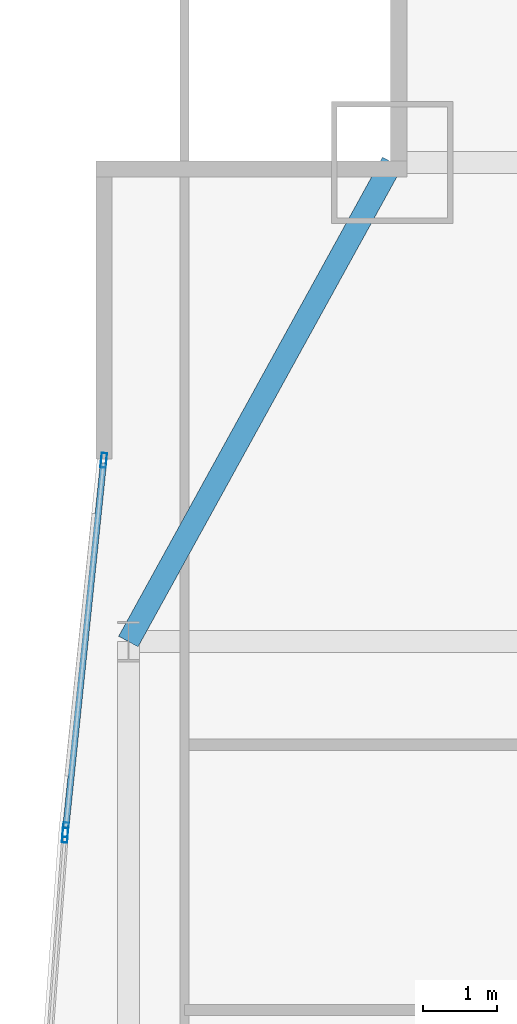
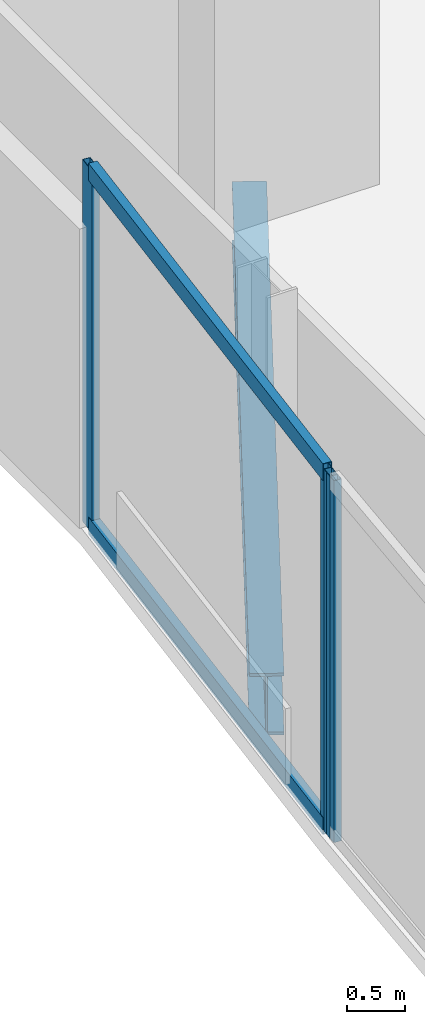
# One storey, part 16 of 33: 5 members, 1 beam, 2 elements without a shape of their own.
"""IFC4 building model written with IfcOpenShell, lengths in metres."""

from ifc_helpers import new_model, si_unit, direction, frame, origin, origin_2d, place, context, subcontext, project, spatial, hollow_rectangle, i_section, extrude, material, material_profile, profile_set, type_object, element, aggregate, save


model = new_model("IFC4")

# Units and contexts
model_context = context("Model", 3, precision=1e-05, world=origin(), true_north=direction((0.0, 1.0)))
body_context = subcontext(model_context, "Body", "Model", "MODEL_VIEW")
ifc_project = project(units=[si_unit("LENGTHUNIT", "METRE"), si_unit("AREAUNIT", "SQUARE_METRE"), si_unit("VOLUMEUNIT", "CUBIC_METRE"), si_unit("PLANEANGLEUNIT", "RADIAN"), si_unit("MASSUNIT", "GRAM", prefix="KILO")], contexts=[model_context])

# Site, building, storey
site_placement = place(None, origin())
site = spatial("IfcSite", under=ifc_project, at=site_placement, CompositionType="ELEMENT")
building_placement = place(site_placement, origin())
building = spatial("IfcBuilding", under=site, at=building_placement, Name="Khoronbel Lancet Exchange", CompositionType="ELEMENT")
storey_placement = place(building_placement, frame((0.0, 0.0, 33.800048828125)))
storey = spatial("IfcBuildingStorey", under=building, at=storey_placement, Name="L07", CompositionType="ELEMENT", Elevation=33.800048828125)

# Beam
ifc_material_1 = material(Name="Steel S355", Category="steel")
ifc_material_profile_1 = material_profile(ifc_material_1, i_section(OverallWidth=0.300048828125, OverallDepth=0.64990234375, WebThickness=0.01611328125, FlangeThickness=0.031005859375, at=origin_2d()), Name="HEB 650")
ifc_profile_set_1 = profile_set([ifc_material_profile_1], Name="Steel S355")
beam_type = type_object("IfcBeamType", Name="BM-BSP1", PredefinedType="SPANDREL", material=ifc_profile_set_1)
beam_placement = place(storey_placement, frame((4.85009765625, 49.699951171875, -0.505126953125), z_axis=(-0.482444051088, -0.875926787791, 0.0), x_axis=(0.875926787791, -0.482444051088, 0.0)))
element("IfcBeam", 1, at=beam_placement, inside=storey, type_object=beam_type, Name="Level L07 perimeter spandrel beam SP16", PredefinedType="SPANDREL", context=body_context, shape_type="SweptSolid", body=[
    extrude(i_section(OverallWidth=0.300048828125, OverallDepth=0.64990234375, WebThickness=0.01611328125, FlangeThickness=0.031005859375, at=origin_2d()), origin(), (0.0, 0.0, 1.0), 7.420654296875),
])

# Curtain wall, member
ifc_material_2 = material(Name="Low-E Solar Control Insulating Glass", Category="glass")
curtain_wall_type = type_object("IfcCurtainWallType", Name="CW-4", PredefinedType="NOTDEFINED", material=ifc_material_2)
curtain_wall_1_placement = place(storey_placement, origin())
curtain_wall_1 = element("IfcCurtainWall", 2, at=curtain_wall_1_placement, inside=storey, type_object=curtain_wall_type, Name="Unitised curtain wall CW-L07-E08", PredefinedType="NOTDEFINED")
ifc_material_3 = material(Name="Bronze-Anodised Aluminium 6063-T6", Category="aluminium")
ifc_material_profile_2 = material_profile(ifc_material_3, hollow_rectangle(XDim=0.074951171875, YDim=0.199951171875, WallThickness=0.0048828125, at=origin_2d()), Name="ALU MULLION 75x200")
ifc_profile_set_2 = profile_set([ifc_material_profile_2], Name="Bronze-Anodised Aluminium 6063-T6")
member_type_1 = type_object("IfcMemberType", Name="MEM-CWM2", PredefinedType="MULLION", material=ifc_profile_set_2)
member_1_placement = place(storey_placement, frame((0.411865234375, 40.5712890625, 0.0), z_axis=(0.0, 0.0, 1.0), x_axis=(-0.997153744129, 0.075395030141, 0.0)))
member_1 = element("IfcMember", 3, at=member_1_placement, type_object=member_type_1, Name="CW4 mullion 2", PredefinedType="MULLION", context=body_context, shape_type="SweptSolid", body=[
    extrude(hollow_rectangle(XDim=0.074951171875, YDim=0.199951171875, WallThickness=0.0048828125, at=origin_2d()), origin(), (0.0, 0.0, 1.0), 3.820068359375),
])
aggregate(curtain_wall_1, [member_1])

# Curtain wall, members
curtain_wall_2_placement = place(storey_placement, origin())
curtain_wall_2 = element("IfcCurtainWall", 4, at=curtain_wall_2_placement, inside=storey, type_object=curtain_wall_type, Name="Unitised curtain wall CW-L07-E09", PredefinedType="NOTDEFINED")
member_2_placement = place(storey_placement, frame((0.41845703125, 40.64599609375, 0.0), z_axis=(0.0, 0.0, 1.0), x_axis=(-0.994709998998, 0.102723015403, 0.0)))
member_2 = element("IfcMember", 5, at=member_2_placement, type_object=member_type_1, Name="CW4 mullion 1", PredefinedType="MULLION", context=body_context, shape_type="SweptSolid", body=[
    extrude(hollow_rectangle(XDim=0.074951171875, YDim=0.199951171875, WallThickness=0.0048828125, at=origin_2d()), origin(), (0.0, 0.0, 1.0), 3.820068359375),
])
member_3_placement = place(storey_placement, frame((0.93603515625, 45.658203125, 0.0), z_axis=(0.0, 0.0, 1.0), x_axis=(-0.994709998998, 0.102723015403, 0.0)))
member_3 = element("IfcMember", 6, at=member_3_placement, type_object=member_type_1, Name="CW4 mullion 2", PredefinedType="MULLION", context=body_context, shape_type="SweptSolid", body=[
    extrude(hollow_rectangle(XDim=0.074951171875, YDim=0.199951171875, WallThickness=0.0048828125, at=origin_2d()), origin(), (0.0, 0.0, 1.0), 3.820068359375),
])
ifc_material_profile_3 = material_profile(ifc_material_3, hollow_rectangle(XDim=0.0849609375, YDim=0.179931640625, WallThickness=0.0048828125, at=origin_2d()), Name="ALU TRANSOM 85x180")
ifc_profile_set_3 = profile_set([ifc_material_profile_3], Name="Bronze-Anodised Aluminium 6063-T6")
member_type_2 = type_object("IfcMemberType", Name="MEM-CWT1", PredefinedType="USERDEFINED", material=ifc_profile_set_3)
member_4_placement = place(storey_placement, frame((0.42236328125, 40.683349609375, 0.04248046875), z_axis=(0.102746446428, 0.994707579013, 0.0), x_axis=(-0.994707579013, 0.102746446428, 0.0)))
member_4 = element("IfcMember", 7, at=member_4_placement, type_object=member_type_2, Name="CW4 transom 1.1", ObjectType="TRANSOM", PredefinedType="USERDEFINED", context=body_context, shape_type="SweptSolid", body=[
    extrude(hollow_rectangle(XDim=0.0849609375, YDim=0.179931640625, WallThickness=0.0048828125, at=origin_2d()), origin(), (0.0, 0.0, 1.0), 4.9638671875),
])
member_5_placement = place(storey_placement, frame((0.42236328125, 40.683349609375, 3.77734375), z_axis=(0.102746446428, 0.994707579013, 0.0), x_axis=(-0.994707579013, 0.102746446428, 0.0)))
member_5 = element("IfcMember", 8, at=member_5_placement, type_object=member_type_2, Name="CW4 transom 1.2", ObjectType="TRANSOM", PredefinedType="USERDEFINED", context=body_context, shape_type="SweptSolid", body=[
    extrude(hollow_rectangle(XDim=0.0849609375, YDim=0.179931640625, WallThickness=0.0048828125, at=origin_2d()), origin(), (0.0, 0.0, 1.0), 4.9638671875),
])
aggregate(curtain_wall_2, [member_2, member_3, member_4, member_5])

save(model, "model.ifc")
